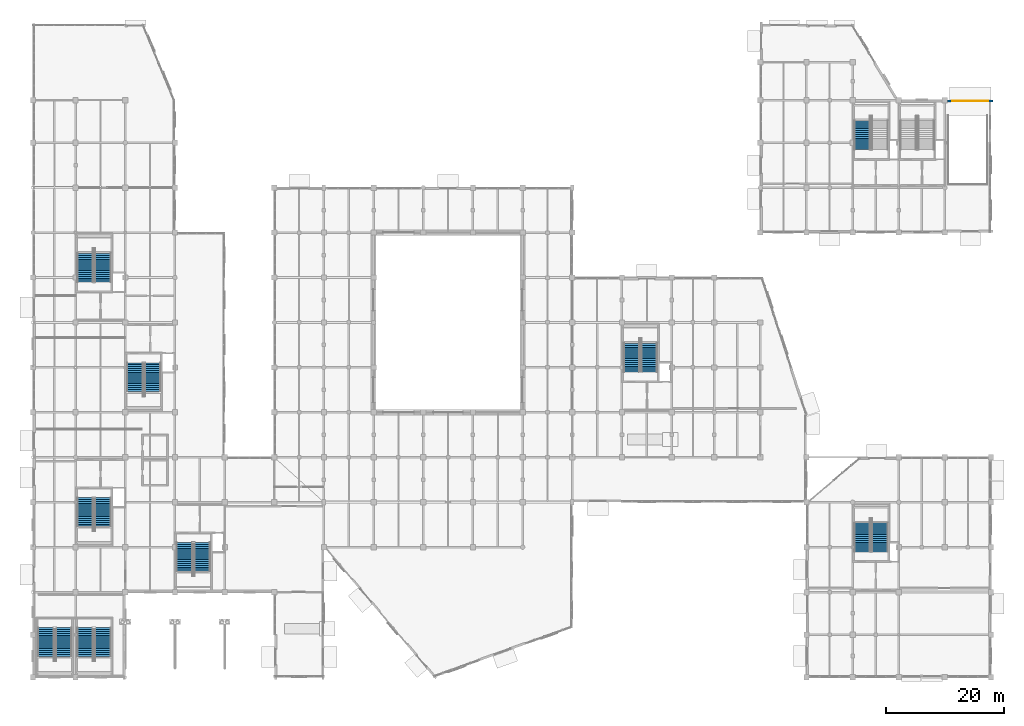
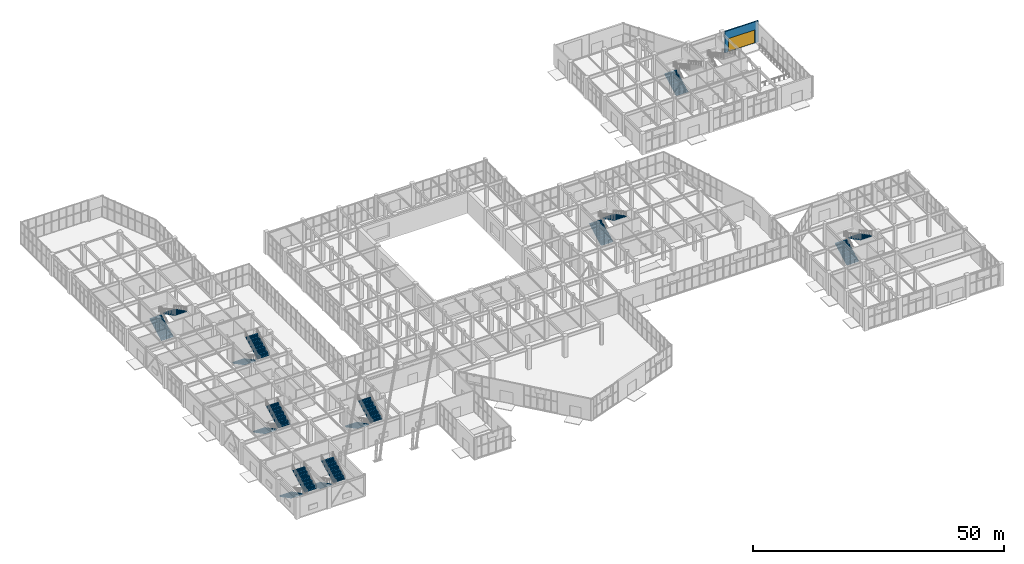
# One storey, part 127 of 139: 17 stair flights, 1 door, 1 wall, 1 opening, 9 elements without a shape of their own.
"""IFC4 building model written with IfcOpenShell, lengths in metres."""

from ifc_helpers import new_model, si_unit, direction, frame, frame_2d, origin, place, context, subcontext, project, spatial, polyline, rectangle, outline, extrude, material, layer, layer_set, type_object, element, fill, aggregate, save


model = new_model("IFC4")

# Units and contexts
model_context = context("Model", 3, precision=1e-05, world=origin(), true_north=direction((0.0, 1.0)))
body_context = subcontext(model_context, "Body", "Model", "MODEL_VIEW")
ifc_project = project(units=[si_unit("LENGTHUNIT", "METRE"), si_unit("AREAUNIT", "SQUARE_METRE"), si_unit("VOLUMEUNIT", "CUBIC_METRE"), si_unit("PLANEANGLEUNIT", "RADIAN"), si_unit("MASSUNIT", "GRAM", prefix="KILO")], contexts=[model_context])

# Site, building, storey
site_placement = place(None, origin())
site = spatial("IfcSite", under=ifc_project, at=site_placement, CompositionType="ELEMENT")
building_placement = place(site_placement, origin())
building = spatial("IfcBuilding", under=site, at=building_placement, Name="Xicomal Pleat Aquarium", CompositionType="ELEMENT")
storey_placement = place(building_placement, origin())
storey = spatial("IfcBuildingStorey", under=building, at=storey_placement, Name="L01", CompositionType="ELEMENT", Elevation=0.0)

# Wall, opening, door
ifc_material_1 = material(Name="Precast concrete C40/50", Category="concrete")
ifc_layer = layer(ifc_material_1, 0.280029296875)
ifc_layer_set = layer_set([ifc_layer], Name="Precast concrete C40/50")
wall_type = type_object("IfcWallType", Name="WAL-EXT-PRC-280", PredefinedType="SOLIDWALL", material=ifc_layer_set)
wall_placement = place(storey_placement, frame((157.635009765625, 98.260009765625, 0.0), z_axis=(0.0, 0.0, 1.0), x_axis=(1.0, 0.0, 0.0)))
wall = element("IfcWall", 1, at=wall_placement, inside=storey, type_object=wall_type, Name="L01 exterior basalt-precast wall EW-L01-101", PredefinedType="SOLIDWALL", context=body_context, shape_type="SweptSolid", body=[
    extrude(rectangle(XDim=7.72509765625, YDim=0.280029296875, at=frame_2d((3.862548828125, 0.0))), origin(), (0.0, 0.0, 1.0), 5.159912109375),
])
opening_placement = place(wall_placement, frame((0.81298828125, 0.0, 0.0)))
opening = element("IfcOpeningElement", 2, at=opening_placement, cuts=wall, Name="Opening DG-01", PredefinedType="OPENING", context=body_context, shape_type="SweptSolid", body=[
    extrude(rectangle(XDim=6.10009765625, YDim=3.199951171875, at=frame_2d((3.050048828125, 1.60009765625))), frame((0.0, 0.14990234375, 0.0), z_axis=(0.0, -1.0, 0.0), x_axis=(1.0, 0.0, 0.0)), (0.0, 0.0, 1.0), 0.300048828125),
])
ifc_material_2 = material(Name="Galvanized powder-coated steel", Category="steel")
door_type = type_object("IfcDoorType", Name="DOR-GAT-6100x3200", OperationType="ROLLINGUP", PredefinedType="GATE", material=ifc_material_2)
door_placement = place(opening_placement, origin())
door = element("IfcDoor", 3, at=door_placement, inside=storey, type_object=door_type, Name="Car park vehicle ramp gate DG-01", OperationType="ROLLINGUP", OverallHeight=3.199951171875, OverallWidth=6.10009765625, PredefinedType="GATE", context=body_context, shape_type="SweptSolid", body=[
    extrude(rectangle(XDim=6.10009765625, YDim=3.199951171875, at=frame_2d((3.050048828125, 1.60009765625))), frame((0.0, 0.02490234375, 0.0), z_axis=(0.0, -1.0, 0.0), x_axis=(1.0, 0.0, 0.0)), (0.0, 0.0, 1.0), 0.050048828125),
])
fill(opening, door)

# Stair, stair flights
ifc_material_3 = material(Name="Concrete C35/45", Category="concrete")
stair_type = type_object("IfcStairType", Name="STR-HT-5400-2400", PredefinedType="HALF_TURN_STAIR", material=ifc_material_3)
stair_1_placement = place(storey_placement, origin())
stair_1 = element("IfcStair", 4, at=stair_1_placement, inside=storey, type_object=stair_type, Name="ST-01 fire exit stair L01 to L02", PredefinedType="HALF_TURN_STAIR")
ifc_material_4 = material(Name="Concrete C35/45", Category="concrete")
stair_flight_type = type_object("IfcStairFlightType", Name="STF-5400-2400", PredefinedType="STRAIGHT", material=ifc_material_4)
stair_flight_1_placement = place(storey_placement, frame((11.81005859375, 31.179931640625, 0.0), z_axis=(0.0, 0.0, 1.0), x_axis=(0.0, -1.0, 0.0)))
stair_flight_1 = element("IfcStairFlight", 5, at=stair_flight_1_placement, type_object=stair_flight_type, Name="ST-01 flight 1", NumberOfRisers=16, NumberOfTreads=15, PredefinedType="STRAIGHT", RiserHeight=0.16875, TreadLength=0.322, context=body_context, shape_type="SweptSolid", body=[
    extrude(outline(polyline([(0.0, 0.0), (0.0, 0.168701171875), (0.322021484375, 0.168701171875), (0.322021484375, 0.33740234375), (0.64404296875, 0.33740234375), (0.64404296875, 0.50634765625), (0.966064453125, 0.50634765625), (0.966064453125, 0.675048828125), (1.2880859375, 0.675048828125), (1.2880859375, 0.84375), (1.610107421875, 0.84375), (1.610107421875, 1.012451171875), (1.931884765625, 1.012451171875), (1.931884765625, 1.18115234375), (2.25390625, 1.18115234375), (2.25390625, 1.35009765625), (2.575927734375, 1.35009765625), (2.575927734375, 1.518798828125), (2.89794921875, 1.518798828125), (2.89794921875, 1.6875), (3.219970703125, 1.6875), (3.219970703125, 1.856201171875), (3.5419921875, 1.856201171875), (3.5419921875, 2.02490234375), (3.864013671875, 2.02490234375), (3.864013671875, 2.19384765625), (4.18603515625, 2.19384765625), (4.18603515625, 2.362548828125), (4.508056640625, 2.362548828125), (4.508056640625, 2.53125), (4.830078125, 2.53125), (4.830078125, 2.699951171875), (4.830078125, 2.350830078125), (0.344482421875, 0.0), (0.0, 0.0)])), frame((0.0, 1.3701171875, 0.0), z_axis=(0.0, -1.0, 0.0), x_axis=(1.0, 0.0, 0.0)), (0.0, 0.0, 1.0), 2.739990234375),
])
stair_flight_2_placement = place(storey_placement, frame((14.85009765625, 26.35009765625, 2.699951171875), z_axis=(0.0, 0.0, 1.0), x_axis=(0.0, 1.0, 0.0)))
stair_flight_2 = element("IfcStairFlight", 6, at=stair_flight_2_placement, type_object=stair_flight_type, Name="ST-01 flight 2", NumberOfRisers=16, NumberOfTreads=15, PredefinedType="STRAIGHT", RiserHeight=0.16875, TreadLength=0.322, context=body_context, shape_type="SweptSolid", body=[
    extrude(outline(polyline([(0.0, 0.0), (0.0, 0.168701171875), (0.322021484375, 0.168701171875), (0.322021484375, 0.33740234375), (0.64404296875, 0.33740234375), (0.64404296875, 0.50634765625), (0.966064453125, 0.50634765625), (0.966064453125, 0.675048828125), (1.2880859375, 0.675048828125), (1.2880859375, 0.84375), (1.610107421875, 0.84375), (1.610107421875, 1.012451171875), (1.931884765625, 1.012451171875), (1.931884765625, 1.18115234375), (2.25390625, 1.18115234375), (2.25390625, 1.35009765625), (2.575927734375, 1.35009765625), (2.575927734375, 1.518798828125), (2.89794921875, 1.518798828125), (2.89794921875, 1.6875), (3.219970703125, 1.6875), (3.219970703125, 1.856201171875), (3.5419921875, 1.856201171875), (3.5419921875, 2.02490234375), (3.864013671875, 2.02490234375), (3.864013671875, 2.19384765625), (4.18603515625, 2.19384765625), (4.18603515625, 2.362548828125), (4.508056640625, 2.362548828125), (4.508056640625, 2.53125), (4.830078125, 2.53125), (4.830078125, 2.699951171875), (4.830078125, 2.350830078125), (0.344482421875, 0.0), (0.0, 0.0)])), frame((0.0, 1.3701171875, 0.0), z_axis=(0.0, -1.0, 0.0), x_axis=(1.0, 0.0, 0.0)), (0.0, 0.0, 1.0), 2.739990234375),
])
aggregate(stair_1, [stair_flight_1, stair_flight_2])

stair_2_placement = place(storey_placement, origin())
stair_2 = element("IfcStair", 7, at=stair_2_placement, inside=storey, type_object=stair_type, Name="ST-02 fire exit stair L01 to L02", PredefinedType="HALF_TURN_STAIR")
stair_flight_3_placement = place(storey_placement, frame((28.610107421875, 23.580078125, 0.0), z_axis=(0.0, 0.0, 1.0), x_axis=(0.0, -1.0, 0.0)))
stair_flight_3 = element("IfcStairFlight", 8, at=stair_flight_3_placement, type_object=stair_flight_type, Name="ST-02 flight 1", NumberOfRisers=16, NumberOfTreads=15, PredefinedType="STRAIGHT", RiserHeight=0.16875, TreadLength=0.322, context=body_context, shape_type="SweptSolid", body=[
    extrude(outline(polyline([(0.0, 0.0), (0.0, 0.168701171875), (0.322021484375, 0.168701171875), (0.322021484375, 0.33740234375), (0.64404296875, 0.33740234375), (0.64404296875, 0.50634765625), (0.966064453125, 0.50634765625), (0.966064453125, 0.675048828125), (1.2880859375, 0.675048828125), (1.2880859375, 0.84375), (1.610107421875, 0.84375), (1.610107421875, 1.012451171875), (1.931884765625, 1.012451171875), (1.931884765625, 1.18115234375), (2.25390625, 1.18115234375), (2.25390625, 1.35009765625), (2.575927734375, 1.35009765625), (2.575927734375, 1.518798828125), (2.89794921875, 1.518798828125), (2.89794921875, 1.6875), (3.219970703125, 1.6875), (3.219970703125, 1.856201171875), (3.5419921875, 1.856201171875), (3.5419921875, 2.02490234375), (3.864013671875, 2.02490234375), (3.864013671875, 2.19384765625), (4.18603515625, 2.19384765625), (4.18603515625, 2.362548828125), (4.508056640625, 2.362548828125), (4.508056640625, 2.53125), (4.830078125, 2.53125), (4.830078125, 2.699951171875), (4.830078125, 2.350830078125), (0.344482421875, 0.0), (0.0, 0.0)])), frame((0.0, 1.3701171875, 0.0), z_axis=(0.0, -1.0, 0.0), x_axis=(1.0, 0.0, 0.0)), (0.0, 0.0, 1.0), 2.739990234375),
])
stair_flight_4_placement = place(storey_placement, frame((31.64990234375, 18.75, 2.699951171875), z_axis=(0.0, 0.0, 1.0), x_axis=(0.0, 1.0, 0.0)))
stair_flight_4 = element("IfcStairFlight", 9, at=stair_flight_4_placement, type_object=stair_flight_type, Name="ST-02 flight 2", NumberOfRisers=16, NumberOfTreads=15, PredefinedType="STRAIGHT", RiserHeight=0.16875, TreadLength=0.322, context=body_context, shape_type="SweptSolid", body=[
    extrude(outline(polyline([(0.0, 0.0), (0.0, 0.168701171875), (0.322021484375, 0.168701171875), (0.322021484375, 0.33740234375), (0.64404296875, 0.33740234375), (0.64404296875, 0.50634765625), (0.966064453125, 0.50634765625), (0.966064453125, 0.675048828125), (1.2880859375, 0.675048828125), (1.2880859375, 0.84375), (1.610107421875, 0.84375), (1.610107421875, 1.012451171875), (1.931884765625, 1.012451171875), (1.931884765625, 1.18115234375), (2.25390625, 1.18115234375), (2.25390625, 1.35009765625), (2.575927734375, 1.35009765625), (2.575927734375, 1.518798828125), (2.89794921875, 1.518798828125), (2.89794921875, 1.6875), (3.219970703125, 1.6875), (3.219970703125, 1.856201171875), (3.5419921875, 1.856201171875), (3.5419921875, 2.02490234375), (3.864013671875, 2.02490234375), (3.864013671875, 2.19384765625), (4.18603515625, 2.19384765625), (4.18603515625, 2.362548828125), (4.508056640625, 2.362548828125), (4.508056640625, 2.53125), (4.830078125, 2.53125), (4.830078125, 2.699951171875), (4.830078125, 2.350830078125), (0.344482421875, 0.0), (0.0, 0.0)])), frame((0.0, 1.3701171875, 0.0), z_axis=(0.0, -1.0, 0.0), x_axis=(1.0, 0.0, 0.0)), (0.0, 0.0, 1.0), 2.739990234375),
])
aggregate(stair_2, [stair_flight_3, stair_flight_4])

stair_3_placement = place(storey_placement, origin())
stair_3 = element("IfcStair", 10, at=stair_3_placement, inside=storey, type_object=stair_type, Name="ST-03 fire exit stair L01 to L02", PredefinedType="HALF_TURN_STAIR")
stair_flight_5_placement = place(storey_placement, frame((11.81005859375, 67.6201171875, 0.0), z_axis=(0.0, 0.0, 1.0), x_axis=(0.0, 1.0, 0.0)))
stair_flight_5 = element("IfcStairFlight", 11, at=stair_flight_5_placement, type_object=stair_flight_type, Name="ST-03 flight 1", NumberOfRisers=16, NumberOfTreads=15, PredefinedType="STRAIGHT", RiserHeight=0.16875, TreadLength=0.322, context=body_context, shape_type="SweptSolid", body=[
    extrude(outline(polyline([(0.0, 0.0), (0.0, 0.168701171875), (0.322021484375, 0.168701171875), (0.322021484375, 0.33740234375), (0.64404296875, 0.33740234375), (0.64404296875, 0.50634765625), (0.966064453125, 0.50634765625), (0.966064453125, 0.675048828125), (1.2880859375, 0.675048828125), (1.2880859375, 0.84375), (1.610107421875, 0.84375), (1.610107421875, 1.012451171875), (1.931884765625, 1.012451171875), (1.931884765625, 1.18115234375), (2.25390625, 1.18115234375), (2.25390625, 1.35009765625), (2.575927734375, 1.35009765625), (2.575927734375, 1.518798828125), (2.89794921875, 1.518798828125), (2.89794921875, 1.6875), (3.219970703125, 1.6875), (3.219970703125, 1.856201171875), (3.5419921875, 1.856201171875), (3.5419921875, 2.02490234375), (3.864013671875, 2.02490234375), (3.864013671875, 2.19384765625), (4.18603515625, 2.19384765625), (4.18603515625, 2.362548828125), (4.508056640625, 2.362548828125), (4.508056640625, 2.53125), (4.830078125, 2.53125), (4.830078125, 2.699951171875), (4.830078125, 2.350830078125), (0.344482421875, 0.0), (0.0, 0.0)])), frame((0.0, 1.3701171875, 0.0), z_axis=(0.0, -1.0, 0.0), x_axis=(1.0, 0.0, 0.0)), (0.0, 0.0, 1.0), 2.739990234375),
])
stair_flight_6_placement = place(storey_placement, frame((14.85009765625, 72.449951171875, 2.699951171875), z_axis=(0.0, 0.0, 1.0), x_axis=(0.0, -1.0, 0.0)))
stair_flight_6 = element("IfcStairFlight", 12, at=stair_flight_6_placement, type_object=stair_flight_type, Name="ST-03 flight 2", NumberOfRisers=16, NumberOfTreads=15, PredefinedType="STRAIGHT", RiserHeight=0.16875, TreadLength=0.322, context=body_context, shape_type="SweptSolid", body=[
    extrude(outline(polyline([(0.0, 0.0), (0.0, 0.168701171875), (0.322021484375, 0.168701171875), (0.322021484375, 0.33740234375), (0.64404296875, 0.33740234375), (0.64404296875, 0.50634765625), (0.966064453125, 0.50634765625), (0.966064453125, 0.675048828125), (1.2880859375, 0.675048828125), (1.2880859375, 0.84375), (1.610107421875, 0.84375), (1.610107421875, 1.012451171875), (1.931884765625, 1.012451171875), (1.931884765625, 1.18115234375), (2.25390625, 1.18115234375), (2.25390625, 1.35009765625), (2.575927734375, 1.35009765625), (2.575927734375, 1.518798828125), (2.89794921875, 1.518798828125), (2.89794921875, 1.6875), (3.219970703125, 1.6875), (3.219970703125, 1.856201171875), (3.5419921875, 1.856201171875), (3.5419921875, 2.02490234375), (3.864013671875, 2.02490234375), (3.864013671875, 2.19384765625), (4.18603515625, 2.19384765625), (4.18603515625, 2.362548828125), (4.508056640625, 2.362548828125), (4.508056640625, 2.53125), (4.830078125, 2.53125), (4.830078125, 2.699951171875), (4.830078125, 2.350830078125), (0.344482421875, 0.0), (0.0, 0.0)])), frame((0.0, 1.3701171875, 0.0), z_axis=(0.0, -1.0, 0.0), x_axis=(1.0, 0.0, 0.0)), (0.0, 0.0, 1.0), 2.739990234375),
])
aggregate(stair_3, [stair_flight_5, stair_flight_6])

stair_4_placement = place(storey_placement, origin())
stair_4 = element("IfcStair", 13, at=stair_4_placement, inside=storey, type_object=stair_type, Name="ST-04 fire exit stair L01 to L02", PredefinedType="HALF_TURN_STAIR")
stair_flight_7_placement = place(storey_placement, frame((20.2099609375, 53.97998046875, 0.0), z_axis=(0.0, 0.0, 1.0), x_axis=(0.0, -1.0, 0.0)))
stair_flight_7 = element("IfcStairFlight", 14, at=stair_flight_7_placement, type_object=stair_flight_type, Name="ST-04 flight 1", NumberOfRisers=16, NumberOfTreads=15, PredefinedType="STRAIGHT", RiserHeight=0.16875, TreadLength=0.322, context=body_context, shape_type="SweptSolid", body=[
    extrude(outline(polyline([(0.0, 0.0), (0.0, 0.168701171875), (0.322021484375, 0.168701171875), (0.322021484375, 0.33740234375), (0.64404296875, 0.33740234375), (0.64404296875, 0.50634765625), (0.966064453125, 0.50634765625), (0.966064453125, 0.675048828125), (1.2880859375, 0.675048828125), (1.2880859375, 0.84375), (1.610107421875, 0.84375), (1.610107421875, 1.012451171875), (1.931884765625, 1.012451171875), (1.931884765625, 1.18115234375), (2.25390625, 1.18115234375), (2.25390625, 1.35009765625), (2.575927734375, 1.35009765625), (2.575927734375, 1.518798828125), (2.89794921875, 1.518798828125), (2.89794921875, 1.6875), (3.219970703125, 1.6875), (3.219970703125, 1.856201171875), (3.5419921875, 1.856201171875), (3.5419921875, 2.02490234375), (3.864013671875, 2.02490234375), (3.864013671875, 2.19384765625), (4.18603515625, 2.19384765625), (4.18603515625, 2.362548828125), (4.508056640625, 2.362548828125), (4.508056640625, 2.53125), (4.830078125, 2.53125), (4.830078125, 2.699951171875), (4.830078125, 2.350830078125), (0.344482421875, 0.0), (0.0, 0.0)])), frame((0.0, 1.3701171875, 0.0), z_axis=(0.0, -1.0, 0.0), x_axis=(1.0, 0.0, 0.0)), (0.0, 0.0, 1.0), 2.739990234375),
])
stair_flight_8_placement = place(storey_placement, frame((23.25, 49.14990234375, 2.699951171875), z_axis=(0.0, 0.0, 1.0), x_axis=(0.0, 1.0, 0.0)))
stair_flight_8 = element("IfcStairFlight", 15, at=stair_flight_8_placement, type_object=stair_flight_type, Name="ST-04 flight 2", NumberOfRisers=16, NumberOfTreads=15, PredefinedType="STRAIGHT", RiserHeight=0.16875, TreadLength=0.322, context=body_context, shape_type="SweptSolid", body=[
    extrude(outline(polyline([(0.0, 0.0), (0.0, 0.168701171875), (0.322021484375, 0.168701171875), (0.322021484375, 0.33740234375), (0.64404296875, 0.33740234375), (0.64404296875, 0.50634765625), (0.966064453125, 0.50634765625), (0.966064453125, 0.675048828125), (1.2880859375, 0.675048828125), (1.2880859375, 0.84375), (1.610107421875, 0.84375), (1.610107421875, 1.012451171875), (1.931884765625, 1.012451171875), (1.931884765625, 1.18115234375), (2.25390625, 1.18115234375), (2.25390625, 1.35009765625), (2.575927734375, 1.35009765625), (2.575927734375, 1.518798828125), (2.89794921875, 1.518798828125), (2.89794921875, 1.6875), (3.219970703125, 1.6875), (3.219970703125, 1.856201171875), (3.5419921875, 1.856201171875), (3.5419921875, 2.02490234375), (3.864013671875, 2.02490234375), (3.864013671875, 2.19384765625), (4.18603515625, 2.19384765625), (4.18603515625, 2.362548828125), (4.508056640625, 2.362548828125), (4.508056640625, 2.53125), (4.830078125, 2.53125), (4.830078125, 2.699951171875), (4.830078125, 2.350830078125), (0.344482421875, 0.0), (0.0, 0.0)])), frame((0.0, 1.3701171875, 0.0), z_axis=(0.0, -1.0, 0.0), x_axis=(1.0, 0.0, 0.0)), (0.0, 0.0, 1.0), 2.739990234375),
])
aggregate(stair_4, [stair_flight_7, stair_flight_8])

# Stair, stair flight
stair_5_placement = place(storey_placement, origin())
stair_5 = element("IfcStair", 16, at=stair_5_placement, inside=storey, type_object=stair_type, Name="ST-05 fire exit stair L01 to L02", PredefinedType="HALF_TURN_STAIR")
stair_flight_9_placement = place(storey_placement, frame((143.2099609375, 90.02001953125, 0.0), z_axis=(0.0, 0.0, 1.0), x_axis=(0.0, 1.0, 0.0)))
stair_flight_9 = element("IfcStairFlight", 17, at=stair_flight_9_placement, type_object=stair_flight_type, Name="ST-05 flight 1", NumberOfRisers=16, NumberOfTreads=15, PredefinedType="STRAIGHT", RiserHeight=0.16875, TreadLength=0.322, context=body_context, shape_type="SweptSolid", body=[
    extrude(outline(polyline([(0.0, 0.0), (0.0, 0.168701171875), (0.322021484375, 0.168701171875), (0.322021484375, 0.33740234375), (0.64404296875, 0.33740234375), (0.64404296875, 0.50634765625), (0.966064453125, 0.50634765625), (0.966064453125, 0.675048828125), (1.2880859375, 0.675048828125), (1.2880859375, 0.84375), (1.610107421875, 0.84375), (1.610107421875, 1.012451171875), (1.931884765625, 1.012451171875), (1.931884765625, 1.18115234375), (2.25390625, 1.18115234375), (2.25390625, 1.35009765625), (2.575927734375, 1.35009765625), (2.575927734375, 1.518798828125), (2.89794921875, 1.518798828125), (2.89794921875, 1.6875), (3.219970703125, 1.6875), (3.219970703125, 1.856201171875), (3.5419921875, 1.856201171875), (3.5419921875, 2.02490234375), (3.864013671875, 2.02490234375), (3.864013671875, 2.19384765625), (4.18603515625, 2.19384765625), (4.18603515625, 2.362548828125), (4.508056640625, 2.362548828125), (4.508056640625, 2.53125), (4.830078125, 2.53125), (4.830078125, 2.699951171875), (4.830078125, 2.350830078125), (0.344482421875, 0.0), (0.0, 0.0)])), frame((0.0, 1.3701171875, 0.0), z_axis=(0.0, -1.0, 0.0), x_axis=(1.0, 0.0, 0.0)), (0.0, 0.0, 1.0), 2.739990234375),
])
aggregate(stair_5, [stair_flight_9])

# Stair, stair flights
stair_6_placement = place(storey_placement, origin())
stair_6 = element("IfcStair", 18, at=stair_6_placement, inside=storey, type_object=stair_type, Name="ST-07 fire exit stair L01 to L02", PredefinedType="HALF_TURN_STAIR")
stair_flight_10_placement = place(storey_placement, frame((104.2099609375, 52.419921875, 0.0), z_axis=(0.0, 0.0, 1.0), x_axis=(0.0, 1.0, 0.0)))
stair_flight_10 = element("IfcStairFlight", 19, at=stair_flight_10_placement, type_object=stair_flight_type, Name="ST-07 flight 1", NumberOfRisers=16, NumberOfTreads=15, PredefinedType="STRAIGHT", RiserHeight=0.16875, TreadLength=0.322, context=body_context, shape_type="SweptSolid", body=[
    extrude(outline(polyline([(0.0, 0.0), (0.0, 0.168701171875), (0.322021484375, 0.168701171875), (0.322021484375, 0.33740234375), (0.64404296875, 0.33740234375), (0.64404296875, 0.50634765625), (0.966064453125, 0.50634765625), (0.966064453125, 0.675048828125), (1.2880859375, 0.675048828125), (1.2880859375, 0.84375), (1.610107421875, 0.84375), (1.610107421875, 1.012451171875), (1.931884765625, 1.012451171875), (1.931884765625, 1.18115234375), (2.25390625, 1.18115234375), (2.25390625, 1.35009765625), (2.575927734375, 1.35009765625), (2.575927734375, 1.518798828125), (2.89794921875, 1.518798828125), (2.89794921875, 1.6875), (3.219970703125, 1.6875), (3.219970703125, 1.856201171875), (3.5419921875, 1.856201171875), (3.5419921875, 2.02490234375), (3.864013671875, 2.02490234375), (3.864013671875, 2.19384765625), (4.18603515625, 2.19384765625), (4.18603515625, 2.362548828125), (4.508056640625, 2.362548828125), (4.508056640625, 2.53125), (4.830078125, 2.53125), (4.830078125, 2.699951171875), (4.830078125, 2.350830078125), (0.344482421875, 0.0), (0.0, 0.0)])), frame((0.0, 1.3701171875, 0.0), z_axis=(0.0, -1.0, 0.0), x_axis=(1.0, 0.0, 0.0)), (0.0, 0.0, 1.0), 2.739990234375),
])
stair_flight_11_placement = place(storey_placement, frame((107.25, 57.25, 2.699951171875), z_axis=(0.0, 0.0, 1.0), x_axis=(0.0, -1.0, 0.0)))
stair_flight_11 = element("IfcStairFlight", 20, at=stair_flight_11_placement, type_object=stair_flight_type, Name="ST-07 flight 2", NumberOfRisers=16, NumberOfTreads=15, PredefinedType="STRAIGHT", RiserHeight=0.16875, TreadLength=0.322, context=body_context, shape_type="SweptSolid", body=[
    extrude(outline(polyline([(0.0, 0.0), (0.0, 0.168701171875), (0.322021484375, 0.168701171875), (0.322021484375, 0.33740234375), (0.64404296875, 0.33740234375), (0.64404296875, 0.50634765625), (0.966064453125, 0.50634765625), (0.966064453125, 0.675048828125), (1.2880859375, 0.675048828125), (1.2880859375, 0.84375), (1.610107421875, 0.84375), (1.610107421875, 1.012451171875), (1.931884765625, 1.012451171875), (1.931884765625, 1.18115234375), (2.25390625, 1.18115234375), (2.25390625, 1.35009765625), (2.575927734375, 1.35009765625), (2.575927734375, 1.518798828125), (2.89794921875, 1.518798828125), (2.89794921875, 1.6875), (3.219970703125, 1.6875), (3.219970703125, 1.856201171875), (3.5419921875, 1.856201171875), (3.5419921875, 2.02490234375), (3.864013671875, 2.02490234375), (3.864013671875, 2.19384765625), (4.18603515625, 2.19384765625), (4.18603515625, 2.362548828125), (4.508056640625, 2.362548828125), (4.508056640625, 2.53125), (4.830078125, 2.53125), (4.830078125, 2.699951171875), (4.830078125, 2.350830078125), (0.344482421875, 0.0), (0.0, 0.0)])), frame((0.0, 1.3701171875, 0.0), z_axis=(0.0, -1.0, 0.0), x_axis=(1.0, 0.0, 0.0)), (0.0, 0.0, 1.0), 2.739990234375),
])
aggregate(stair_6, [stair_flight_10, stair_flight_11])

stair_7_placement = place(storey_placement, origin())
stair_7 = element("IfcStair", 21, at=stair_7_placement, inside=storey, type_object=stair_type, Name="ST-08 fire exit stair L01 to L02", PredefinedType="HALF_TURN_STAIR")
stair_flight_12_placement = place(storey_placement, frame((143.2099609375, 22.02001953125, 0.0), z_axis=(0.0, 0.0, 1.0), x_axis=(0.0, 1.0, 0.0)))
stair_flight_12 = element("IfcStairFlight", 22, at=stair_flight_12_placement, type_object=stair_flight_type, Name="ST-08 flight 1", NumberOfRisers=16, NumberOfTreads=15, PredefinedType="STRAIGHT", RiserHeight=0.16875, TreadLength=0.322, context=body_context, shape_type="SweptSolid", body=[
    extrude(outline(polyline([(0.0, 0.0), (0.0, 0.168701171875), (0.322021484375, 0.168701171875), (0.322021484375, 0.33740234375), (0.64404296875, 0.33740234375), (0.64404296875, 0.50634765625), (0.966064453125, 0.50634765625), (0.966064453125, 0.675048828125), (1.2880859375, 0.675048828125), (1.2880859375, 0.84375), (1.610107421875, 0.84375), (1.610107421875, 1.012451171875), (1.931884765625, 1.012451171875), (1.931884765625, 1.18115234375), (2.25390625, 1.18115234375), (2.25390625, 1.35009765625), (2.575927734375, 1.35009765625), (2.575927734375, 1.518798828125), (2.89794921875, 1.518798828125), (2.89794921875, 1.6875), (3.219970703125, 1.6875), (3.219970703125, 1.856201171875), (3.5419921875, 1.856201171875), (3.5419921875, 2.02490234375), (3.864013671875, 2.02490234375), (3.864013671875, 2.19384765625), (4.18603515625, 2.19384765625), (4.18603515625, 2.362548828125), (4.508056640625, 2.362548828125), (4.508056640625, 2.53125), (4.830078125, 2.53125), (4.830078125, 2.699951171875), (4.830078125, 2.350830078125), (0.344482421875, 0.0), (0.0, 0.0)])), frame((0.0, 1.3701171875, 0.0), z_axis=(0.0, -1.0, 0.0), x_axis=(1.0, 0.0, 0.0)), (0.0, 0.0, 1.0), 2.739990234375),
])
stair_flight_13_placement = place(storey_placement, frame((146.25, 26.85009765625, 2.699951171875), z_axis=(0.0, 0.0, 1.0), x_axis=(0.0, -1.0, 0.0)))
stair_flight_13 = element("IfcStairFlight", 23, at=stair_flight_13_placement, type_object=stair_flight_type, Name="ST-08 flight 2", NumberOfRisers=16, NumberOfTreads=15, PredefinedType="STRAIGHT", RiserHeight=0.16875, TreadLength=0.322, context=body_context, shape_type="SweptSolid", body=[
    extrude(outline(polyline([(0.0, 0.0), (0.0, 0.168701171875), (0.322021484375, 0.168701171875), (0.322021484375, 0.33740234375), (0.64404296875, 0.33740234375), (0.64404296875, 0.50634765625), (0.966064453125, 0.50634765625), (0.966064453125, 0.675048828125), (1.2880859375, 0.675048828125), (1.2880859375, 0.84375), (1.610107421875, 0.84375), (1.610107421875, 1.012451171875), (1.931884765625, 1.012451171875), (1.931884765625, 1.18115234375), (2.25390625, 1.18115234375), (2.25390625, 1.35009765625), (2.575927734375, 1.35009765625), (2.575927734375, 1.518798828125), (2.89794921875, 1.518798828125), (2.89794921875, 1.6875), (3.219970703125, 1.6875), (3.219970703125, 1.856201171875), (3.5419921875, 1.856201171875), (3.5419921875, 2.02490234375), (3.864013671875, 2.02490234375), (3.864013671875, 2.19384765625), (4.18603515625, 2.19384765625), (4.18603515625, 2.362548828125), (4.508056640625, 2.362548828125), (4.508056640625, 2.53125), (4.830078125, 2.53125), (4.830078125, 2.699951171875), (4.830078125, 2.350830078125), (0.344482421875, 0.0), (0.0, 0.0)])), frame((0.0, 1.3701171875, 0.0), z_axis=(0.0, -1.0, 0.0), x_axis=(1.0, 0.0, 0.0)), (0.0, 0.0, 1.0), 2.739990234375),
])
aggregate(stair_7, [stair_flight_12, stair_flight_13])

stair_8_placement = place(storey_placement, origin())
stair_8 = element("IfcStair", 24, at=stair_8_placement, inside=storey, type_object=stair_type, Name="ST-09 fire exit stair L01 to L02", PredefinedType="HALF_TURN_STAIR")
stair_flight_14_placement = place(storey_placement, frame((11.81005859375, 9.179931640625, 0.0), z_axis=(0.0, 0.0, 1.0), x_axis=(0.0, -1.0, 0.0)))
stair_flight_14 = element("IfcStairFlight", 25, at=stair_flight_14_placement, type_object=stair_flight_type, Name="ST-09 flight 1", NumberOfRisers=16, NumberOfTreads=15, PredefinedType="STRAIGHT", RiserHeight=0.16875, TreadLength=0.322, context=body_context, shape_type="SweptSolid", body=[
    extrude(outline(polyline([(0.0, 0.0), (0.0, 0.168701171875), (0.322021484375, 0.168701171875), (0.322021484375, 0.33740234375), (0.64404296875, 0.33740234375), (0.64404296875, 0.50634765625), (0.966064453125, 0.50634765625), (0.966064453125, 0.675048828125), (1.2880859375, 0.675048828125), (1.2880859375, 0.84375), (1.610107421875, 0.84375), (1.610107421875, 1.012451171875), (1.931884765625, 1.012451171875), (1.931884765625, 1.18115234375), (2.25390625, 1.18115234375), (2.25390625, 1.35009765625), (2.575927734375, 1.35009765625), (2.575927734375, 1.518798828125), (2.89794921875, 1.518798828125), (2.89794921875, 1.6875), (3.219970703125, 1.6875), (3.219970703125, 1.856201171875), (3.5419921875, 1.856201171875), (3.5419921875, 2.02490234375), (3.864013671875, 2.02490234375), (3.864013671875, 2.19384765625), (4.18603515625, 2.19384765625), (4.18603515625, 2.362548828125), (4.508056640625, 2.362548828125), (4.508056640625, 2.53125), (4.830078125, 2.53125), (4.830078125, 2.699951171875), (4.830078125, 2.350830078125), (0.344482421875, 0.0), (0.0, 0.0)])), frame((0.0, 1.3701171875, 0.0), z_axis=(0.0, -1.0, 0.0), x_axis=(1.0, 0.0, 0.0)), (0.0, 0.0, 1.0), 2.739990234375),
])
stair_flight_15_placement = place(storey_placement, frame((14.85009765625, 4.35009765625, 2.699951171875), z_axis=(0.0, 0.0, 1.0), x_axis=(0.0, 1.0, 0.0)))
stair_flight_15 = element("IfcStairFlight", 26, at=stair_flight_15_placement, type_object=stair_flight_type, Name="ST-09 flight 2", NumberOfRisers=16, NumberOfTreads=15, PredefinedType="STRAIGHT", RiserHeight=0.16875, TreadLength=0.322, context=body_context, shape_type="SweptSolid", body=[
    extrude(outline(polyline([(0.0, 0.0), (0.0, 0.168701171875), (0.322021484375, 0.168701171875), (0.322021484375, 0.33740234375), (0.64404296875, 0.33740234375), (0.64404296875, 0.50634765625), (0.966064453125, 0.50634765625), (0.966064453125, 0.675048828125), (1.2880859375, 0.675048828125), (1.2880859375, 0.84375), (1.610107421875, 0.84375), (1.610107421875, 1.012451171875), (1.931884765625, 1.012451171875), (1.931884765625, 1.18115234375), (2.25390625, 1.18115234375), (2.25390625, 1.35009765625), (2.575927734375, 1.35009765625), (2.575927734375, 1.518798828125), (2.89794921875, 1.518798828125), (2.89794921875, 1.6875), (3.219970703125, 1.6875), (3.219970703125, 1.856201171875), (3.5419921875, 1.856201171875), (3.5419921875, 2.02490234375), (3.864013671875, 2.02490234375), (3.864013671875, 2.19384765625), (4.18603515625, 2.19384765625), (4.18603515625, 2.362548828125), (4.508056640625, 2.362548828125), (4.508056640625, 2.53125), (4.830078125, 2.53125), (4.830078125, 2.699951171875), (4.830078125, 2.350830078125), (0.344482421875, 0.0), (0.0, 0.0)])), frame((0.0, 1.3701171875, 0.0), z_axis=(0.0, -1.0, 0.0), x_axis=(1.0, 0.0, 0.0)), (0.0, 0.0, 1.0), 2.739990234375),
])
aggregate(stair_8, [stair_flight_14, stair_flight_15])

stair_9_placement = place(storey_placement, origin())
stair_9 = element("IfcStair", 27, at=stair_9_placement, inside=storey, type_object=stair_type, Name="ST-10 fire exit stair L01 to L02", PredefinedType="HALF_TURN_STAIR")
stair_flight_16_placement = place(storey_placement, frame((5.169921875, 9.179931640625, 0.0), z_axis=(0.0, 0.0, 1.0), x_axis=(0.0, -1.0, 0.0)))
stair_flight_16 = element("IfcStairFlight", 28, at=stair_flight_16_placement, type_object=stair_flight_type, Name="ST-10 flight 1", NumberOfRisers=16, NumberOfTreads=15, PredefinedType="STRAIGHT", RiserHeight=0.16875, TreadLength=0.322, context=body_context, shape_type="SweptSolid", body=[
    extrude(outline(polyline([(0.0, 0.0), (0.0, 0.168701171875), (0.322021484375, 0.168701171875), (0.322021484375, 0.33740234375), (0.64404296875, 0.33740234375), (0.64404296875, 0.50634765625), (0.966064453125, 0.50634765625), (0.966064453125, 0.675048828125), (1.2880859375, 0.675048828125), (1.2880859375, 0.84375), (1.610107421875, 0.84375), (1.610107421875, 1.012451171875), (1.931884765625, 1.012451171875), (1.931884765625, 1.18115234375), (2.25390625, 1.18115234375), (2.25390625, 1.35009765625), (2.575927734375, 1.35009765625), (2.575927734375, 1.518798828125), (2.89794921875, 1.518798828125), (2.89794921875, 1.6875), (3.219970703125, 1.6875), (3.219970703125, 1.856201171875), (3.5419921875, 1.856201171875), (3.5419921875, 2.02490234375), (3.864013671875, 2.02490234375), (3.864013671875, 2.19384765625), (4.18603515625, 2.19384765625), (4.18603515625, 2.362548828125), (4.508056640625, 2.362548828125), (4.508056640625, 2.53125), (4.830078125, 2.53125), (4.830078125, 2.699951171875), (4.830078125, 2.350830078125), (0.344482421875, 0.0), (0.0, 0.0)])), frame((0.0, 1.3701171875, 0.0), z_axis=(0.0, -1.0, 0.0), x_axis=(1.0, 0.0, 0.0)), (0.0, 0.0, 1.0), 2.739990234375),
])
stair_flight_17_placement = place(storey_placement, frame((8.2099609375, 4.35009765625, 2.699951171875), z_axis=(0.0, 0.0, 1.0), x_axis=(0.0, 1.0, 0.0)))
stair_flight_17 = element("IfcStairFlight", 29, at=stair_flight_17_placement, type_object=stair_flight_type, Name="ST-10 flight 2", NumberOfRisers=16, NumberOfTreads=15, PredefinedType="STRAIGHT", RiserHeight=0.16875, TreadLength=0.322, context=body_context, shape_type="SweptSolid", body=[
    extrude(outline(polyline([(0.0, 0.0), (0.0, 0.168701171875), (0.322021484375, 0.168701171875), (0.322021484375, 0.33740234375), (0.64404296875, 0.33740234375), (0.64404296875, 0.50634765625), (0.966064453125, 0.50634765625), (0.966064453125, 0.675048828125), (1.2880859375, 0.675048828125), (1.2880859375, 0.84375), (1.610107421875, 0.84375), (1.610107421875, 1.012451171875), (1.931884765625, 1.012451171875), (1.931884765625, 1.18115234375), (2.25390625, 1.18115234375), (2.25390625, 1.35009765625), (2.575927734375, 1.35009765625), (2.575927734375, 1.518798828125), (2.89794921875, 1.518798828125), (2.89794921875, 1.6875), (3.219970703125, 1.6875), (3.219970703125, 1.856201171875), (3.5419921875, 1.856201171875), (3.5419921875, 2.02490234375), (3.864013671875, 2.02490234375), (3.864013671875, 2.19384765625), (4.18603515625, 2.19384765625), (4.18603515625, 2.362548828125), (4.508056640625, 2.362548828125), (4.508056640625, 2.53125), (4.830078125, 2.53125), (4.830078125, 2.699951171875), (4.830078125, 2.350830078125), (0.344482421875, 0.0), (0.0, 0.0)])), frame((0.0, 1.3701171875, 0.0), z_axis=(0.0, -1.0, 0.0), x_axis=(1.0, 0.0, 0.0)), (0.0, 0.0, 1.0), 2.739990234375),
])
aggregate(stair_9, [stair_flight_16, stair_flight_17])

save(model, "model.ifc")
